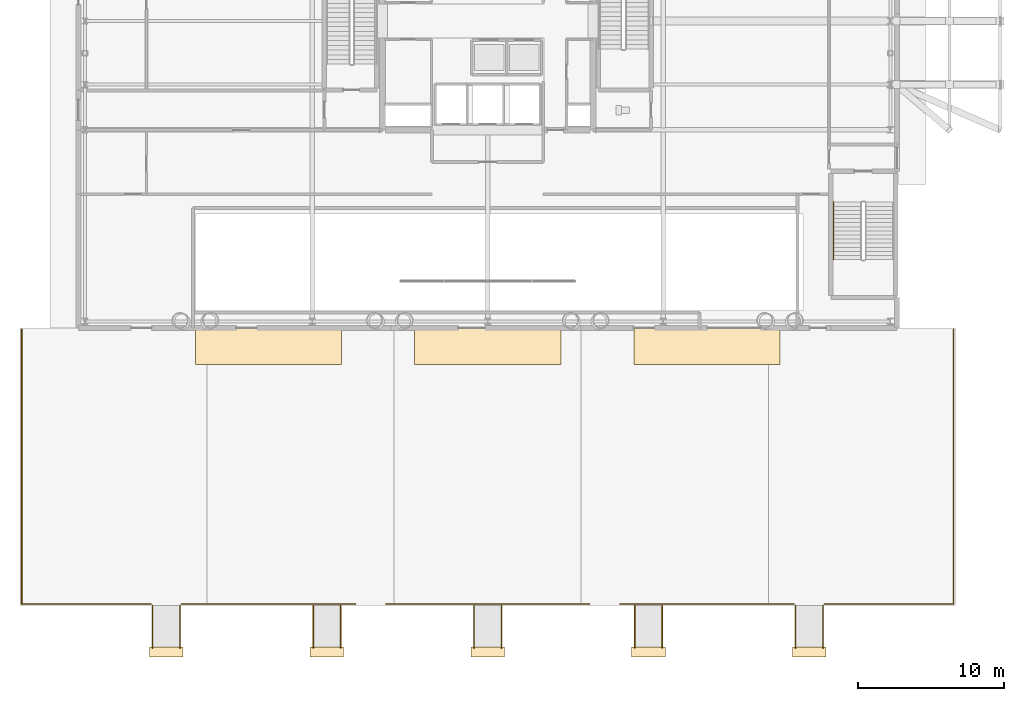
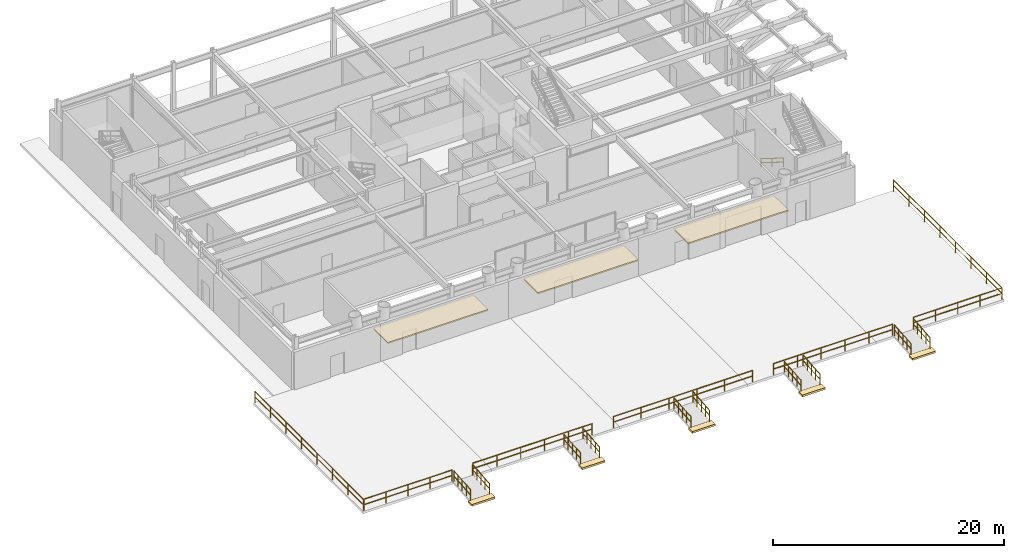
# One storey, part 15 of 19: 18 railings, 8 coverings.
"""IFC4 building model written with IfcOpenShell, lengths in metres."""

from ifc_helpers import new_model, si_unit, direction, frame, origin, origin_2d, place, context, subcontext, project, spatial, polyline, circle, outline, extrude, material, layer, layer_set, type_object, element, save


model = new_model("IFC4")

# Units and contexts
model_context = context("Model", 3, precision=1e-05, world=origin(), true_north=direction((0.0, 1.0)))
body_context = subcontext(model_context, "Body", "Model", "MODEL_VIEW")
ifc_project = project(units=[si_unit("LENGTHUNIT", "METRE"), si_unit("AREAUNIT", "SQUARE_METRE"), si_unit("VOLUMEUNIT", "CUBIC_METRE"), si_unit("PLANEANGLEUNIT", "RADIAN"), si_unit("MASSUNIT", "GRAM", prefix="KILO")], contexts=[model_context])

# Site, building, storey
site_placement = place(None, origin())
site = spatial("IfcSite", under=ifc_project, at=site_placement, CompositionType="ELEMENT")
building_placement = place(site_placement, origin())
building = spatial("IfcBuilding", under=site, at=building_placement, Name="Veldorina Hangang Commons", CompositionType="ELEMENT")
storey_placement = place(building_placement, origin())
storey = spatial("IfcBuildingStorey", under=building, at=storey_placement, Name="L00", CompositionType="ELEMENT", Elevation=0.0)

# Coverings
ifc_material_1 = material(Name="Stone Venetian Terrazzo", Category="masonry")
ifc_layer_1 = layer(ifc_material_1, 0.030029296875)
ifc_layer_set_1 = layer_set([ifc_layer_1], Name="Stone Venetian Terrazzo")
covering_type_1 = type_object("IfcCoveringType", Name="COV-FLR-TERZ", PredefinedType="FLOORING", material=ifc_layer_set_1)
covering_1_placement = place(storey_placement, frame((0.0, 0.0, -0.43994140625)))
element("IfcCovering", 1, at=covering_1_placement, inside=storey, type_object=covering_type_1, Name="Waterfront ramp 1 tactile granite landing threshold", PredefinedType="FLOORING", context=body_context, shape_type="SweptSolid", body=[
    extrude(outline(polyline([(8.85009765625, -19.5), (11.14990234375, -19.5), (11.14990234375, -18.840087890625), (8.85009765625, -18.840087890625), (8.85009765625, -19.5)])), origin(), (0.0, 0.0, 1.0), 0.199951171875),
])
covering_2_placement = place(storey_placement, frame((0.0, 0.0, -0.43994140625)))
element("IfcCovering", 2, at=covering_2_placement, inside=storey, type_object=covering_type_1, Name="Waterfront ramp 2 tactile granite landing threshold", PredefinedType="FLOORING", context=body_context, shape_type="SweptSolid", body=[
    extrude(outline(polyline([(19.85009765625, -19.5), (22.14990234375, -19.5), (22.14990234375, -18.840087890625), (19.85009765625, -18.840087890625), (19.85009765625, -19.5)])), origin(), (0.0, 0.0, 1.0), 0.199951171875),
])
covering_3_placement = place(storey_placement, frame((0.0, 0.0, -0.43994140625)))
element("IfcCovering", 3, at=covering_3_placement, inside=storey, type_object=covering_type_1, Name="Waterfront ramp 3 tactile granite landing threshold", PredefinedType="FLOORING", context=body_context, shape_type="SweptSolid", body=[
    extrude(outline(polyline([(30.85009765625, -19.5), (33.14990234375, -19.5), (33.14990234375, -18.840087890625), (30.85009765625, -18.840087890625), (30.85009765625, -19.5)])), origin(), (0.0, 0.0, 1.0), 0.199951171875),
])
covering_4_placement = place(storey_placement, frame((0.0, 0.0, -0.43994140625)))
element("IfcCovering", 4, at=covering_4_placement, inside=storey, type_object=covering_type_1, Name="Waterfront ramp 4 tactile granite landing threshold", PredefinedType="FLOORING", context=body_context, shape_type="SweptSolid", body=[
    extrude(outline(polyline([(41.85009765625, -19.5), (44.14990234375, -19.5), (44.14990234375, -18.840087890625), (41.85009765625, -18.840087890625), (41.85009765625, -19.5)])), origin(), (0.0, 0.0, 1.0), 0.199951171875),
])
covering_5_placement = place(storey_placement, frame((0.0, 0.0, -0.43994140625)))
element("IfcCovering", 5, at=covering_5_placement, inside=storey, type_object=covering_type_1, Name="Waterfront ramp 5 tactile granite landing threshold", PredefinedType="FLOORING", context=body_context, shape_type="SweptSolid", body=[
    extrude(outline(polyline([(52.85009765625, -19.5), (55.14990234375, -19.5), (55.14990234375, -18.840087890625), (52.85009765625, -18.840087890625), (52.85009765625, -19.5)])), origin(), (0.0, 0.0, 1.0), 0.199951171875),
])
ifc_material_2 = material(Name="Bronze Perforated Anodized", Category="metal")
ifc_layer_2 = layer(ifc_material_2, 0.139892578125)
ifc_layer_set_2 = layer_set([ifc_layer_2], Name="Bronze Perforated Anodized")
covering_type_2 = type_object("IfcCoveringType", Name="RF-CANOPY-BRZ", PredefinedType="USERDEFINED", material=ifc_layer_set_2)
covering_6_placement = place(storey_placement, frame((0.0, 0.0, 3.5)))
element("IfcCovering", 6, at=covering_6_placement, inside=storey, type_object=covering_type_2, Name="L00 waterfront colonnade canopy 1", ObjectType="CANOPY", PredefinedType="USERDEFINED", context=body_context, shape_type="SweptSolid", body=[
    extrude(outline(polyline([(12.0, 0.5), (22.0, 0.5), (22.0, 3.050048828125), (12.0, 3.050048828125), (12.0, 0.5)])), origin(), (0.0, 0.0, 1.0), 0.139892578125),
])
covering_7_placement = place(storey_placement, frame((0.0, 0.0, 3.5)))
element("IfcCovering", 7, at=covering_7_placement, inside=storey, type_object=covering_type_2, Name="L00 waterfront colonnade canopy 2", ObjectType="CANOPY", PredefinedType="USERDEFINED", context=body_context, shape_type="SweptSolid", body=[
    extrude(outline(polyline([(27.0, 0.5), (37.0, 0.5), (37.0, 3.050048828125), (27.0, 3.050048828125), (27.0, 0.5)])), origin(), (0.0, 0.0, 1.0), 0.139892578125),
])
covering_8_placement = place(storey_placement, frame((0.0, 0.0, 3.5)))
element("IfcCovering", 8, at=covering_8_placement, inside=storey, type_object=covering_type_2, Name="L00 waterfront colonnade canopy 3", ObjectType="CANOPY", PredefinedType="USERDEFINED", context=body_context, shape_type="SweptSolid", body=[
    extrude(outline(polyline([(42.0, 0.5), (52.0, 0.5), (52.0, 3.050048828125), (42.0, 3.050048828125), (42.0, 0.5)])), origin(), (0.0, 0.0, 1.0), 0.139892578125),
])

# Railings
ifc_material_3 = material(Name="Steel Painted Balustrade", Category="steel")
railing_type_1 = type_object("IfcRailingType", Name="RL-GRD-STAIR", PredefinedType="GUARDRAIL", material=ifc_material_3)
for number, where, name in (
    (9, (9.06005859375, -18.8798828125, -0.239990234375), "Waterfront ramp 1 safety guard L"),
    (10, (10.93994140625, -18.8798828125, -0.239990234375), "Waterfront ramp 1 safety guard R"),
    (11, (20.06005859375, -18.8798828125, -0.239990234375), "Waterfront ramp 2 safety guard L"),
    (12, (21.93994140625, -18.8798828125, -0.239990234375), "Waterfront ramp 2 safety guard R"),
    (13, (31.06005859375, -18.8798828125, -0.239990234375), "Waterfront ramp 3 safety guard L"),
    (14, (32.93994140625, -18.8798828125, -0.239990234375), "Waterfront ramp 3 safety guard R"),
    (15, (42.06005859375, -18.8798828125, -0.239990234375), "Waterfront ramp 4 safety guard L"),
    (16, (43.93994140625, -18.8798828125, -0.239990234375), "Waterfront ramp 4 safety guard R"),
    (17, (53.06005859375, -18.8798828125, -0.239990234375), "Waterfront ramp 5 safety guard L"),
    (18, (54.93994140625, -18.8798828125, -0.239990234375), "Waterfront ramp 5 safety guard R"),
):
    element("IfcRailing", number, at=place(storey_placement, frame(where)), inside=storey, type_object=railing_type_1, Name=name, PredefinedType="GUARDRAIL", context=body_context, shape_type="SweptSolid", body=[
        extrude(circle(Radius=0.02392578125, at=origin_2d()), frame((0.0, 0.0, 1.1259765625), z_axis=(0.0, 0.996545758245, 0.083045479854), x_axis=(-1.0, 0.0, 0.0)), (0.0, 0.0, 1.0), 2.889892578125),
        extrude(circle(Radius=0.02392578125, at=origin_2d()), frame((0.0, 0.0, 0.574951171875), z_axis=(0.0, 0.996545758245, 0.083045479854), x_axis=(-1.0, 0.0, 0.0)), (0.0, 0.0, 1.0), 2.889892578125),
        extrude(circle(Radius=0.02099609375, at=origin_2d()), origin(), (0.0, 0.0, 1.0), 1.101806640625),
        extrude(circle(Radius=0.02099609375, at=origin_2d()), frame((0.0, 0.719970703125, 0.06005859375)), (0.0, 0.0, 1.0), 1.101806640625),
        extrude(circle(Radius=0.02099609375, at=origin_2d()), frame((0.0, 1.43994140625, 0.1201171875)), (0.0, 0.0, 1.0), 1.101806640625),
        extrude(circle(Radius=0.02099609375, at=origin_2d()), frame((0.0, 2.159912109375, 0.179931640625)), (0.0, 0.0, 1.0), 1.101806640625),
        extrude(circle(Radius=0.02099609375, at=origin_2d()), frame((0.0, 2.8798828125, 0.239990234375)), (0.0, 0.0, 1.0), 1.101806640625),
    ])
ifc_material_4 = material(Name="Stainless Steel Brushed 316", Category="steel")
railing_type_2 = type_object("IfcRailingType", Name="RL-GRD-WIND", PredefinedType="GUARDRAIL", material=ifc_material_4)
railing_1_placement = place(storey_placement, frame((0.14990234375, -15.8798828125, 0.0)))
element("IfcRailing", 19, at=railing_1_placement, inside=storey, type_object=railing_type_2, Name="L00 Hangang promenade riverfront guard 1", PredefinedType="GUARDRAIL", context=body_context, shape_type="SweptSolid", body=[
    extrude(circle(Radius=0.02392578125, at=origin_2d()), frame((0.0, 0.0, 1.17578125), z_axis=(1.0, 0.0, 0.0), x_axis=(0.0, 1.0, 0.0)), (0.0, 0.0, 1.0), 8.800048828125),
    extrude(circle(Radius=0.02392578125, at=origin_2d()), frame((0.0, 0.0, 0.60009765625), z_axis=(1.0, 0.0, 0.0), x_axis=(0.0, 1.0, 0.0)), (0.0, 0.0, 1.0), 8.800048828125),
    extrude(circle(Radius=0.02099609375, at=origin_2d()), origin(), (0.0, 0.0, 1.0), 1.15185546875),
    extrude(circle(Radius=0.02099609375, at=origin_2d()), frame((2.199951171875, 0.0, 0.0)), (0.0, 0.0, 1.0), 1.15185546875),
    extrude(circle(Radius=0.02099609375, at=origin_2d()), frame((4.39990234375, 0.0, 0.0)), (0.0, 0.0, 1.0), 1.15185546875),
    extrude(circle(Radius=0.02099609375, at=origin_2d()), frame((6.60009765625, 0.0, 0.0)), (0.0, 0.0, 1.0), 1.15185546875),
    extrude(circle(Radius=0.02099609375, at=origin_2d()), frame((8.800048828125, 0.0, 0.0)), (0.0, 0.0, 1.0), 1.15185546875),
])
railing_2_placement = place(storey_placement, frame((11.050048828125, -15.8798828125, 0.0)))
element("IfcRailing", 20, at=railing_2_placement, inside=storey, type_object=railing_type_2, Name="L00 Hangang promenade riverfront guard 2", PredefinedType="GUARDRAIL", context=body_context, shape_type="SweptSolid", body=[
    extrude(circle(Radius=0.02392578125, at=origin_2d()), frame((0.0, 0.0, 1.17578125), z_axis=(1.0, 0.0, 0.0), x_axis=(0.0, 1.0, 0.0)), (0.0, 0.0, 1.0), 11.89990234375),
    extrude(circle(Radius=0.02392578125, at=origin_2d()), frame((0.0, 0.0, 0.60009765625), z_axis=(1.0, 0.0, 0.0), x_axis=(0.0, 1.0, 0.0)), (0.0, 0.0, 1.0), 11.89990234375),
    extrude(circle(Radius=0.02099609375, at=origin_2d()), origin(), (0.0, 0.0, 1.0), 1.15185546875),
    extrude(circle(Radius=0.02099609375, at=origin_2d()), frame((2.3798828125, 0.0, 0.0)), (0.0, 0.0, 1.0), 1.15185546875),
    extrude(circle(Radius=0.02099609375, at=origin_2d()), frame((4.760009765625, 0.0, 0.0)), (0.0, 0.0, 1.0), 1.15185546875),
    extrude(circle(Radius=0.02099609375, at=origin_2d()), frame((7.139892578125, 0.0, 0.0)), (0.0, 0.0, 1.0), 1.15185546875),
    extrude(circle(Radius=0.02099609375, at=origin_2d()), frame((9.52001953125, 0.0, 0.0)), (0.0, 0.0, 1.0), 1.15185546875),
    extrude(circle(Radius=0.02099609375, at=origin_2d()), frame((11.89990234375, 0.0, 0.0)), (0.0, 0.0, 1.0), 1.15185546875),
])
railing_3_placement = place(storey_placement, frame((25.050048828125, -15.8798828125, 0.0)))
element("IfcRailing", 21, at=railing_3_placement, inside=storey, type_object=railing_type_2, Name="L00 Hangang promenade riverfront guard 3", PredefinedType="GUARDRAIL", context=body_context, shape_type="SweptSolid", body=[
    extrude(circle(Radius=0.02392578125, at=origin_2d()), frame((0.0, 0.0, 1.17578125), z_axis=(1.0, 0.0, 0.0), x_axis=(0.0, 1.0, 0.0)), (0.0, 0.0, 1.0), 13.89990234375),
    extrude(circle(Radius=0.02392578125, at=origin_2d()), frame((0.0, 0.0, 0.60009765625), z_axis=(1.0, 0.0, 0.0), x_axis=(0.0, 1.0, 0.0)), (0.0, 0.0, 1.0), 13.89990234375),
    extrude(circle(Radius=0.02099609375, at=origin_2d()), origin(), (0.0, 0.0, 1.0), 1.15185546875),
    extrude(circle(Radius=0.02099609375, at=origin_2d()), frame((2.780029296875, 0.0, 0.0)), (0.0, 0.0, 1.0), 1.15185546875),
    extrude(circle(Radius=0.02099609375, at=origin_2d()), frame((5.56005859375, 0.0, 0.0)), (0.0, 0.0, 1.0), 1.15185546875),
    extrude(circle(Radius=0.02099609375, at=origin_2d()), frame((8.33984375, 0.0, 0.0)), (0.0, 0.0, 1.0), 1.15185546875),
    extrude(circle(Radius=0.02099609375, at=origin_2d()), frame((11.119873046875, 0.0, 0.0)), (0.0, 0.0, 1.0), 1.15185546875),
    extrude(circle(Radius=0.02099609375, at=origin_2d()), frame((13.89990234375, 0.0, 0.0)), (0.0, 0.0, 1.0), 1.15185546875),
])
railing_4_placement = place(storey_placement, frame((41.050048828125, -15.8798828125, 0.0)))
element("IfcRailing", 22, at=railing_4_placement, inside=storey, type_object=railing_type_2, Name="L00 Hangang promenade riverfront guard 4", PredefinedType="GUARDRAIL", context=body_context, shape_type="SweptSolid", body=[
    extrude(circle(Radius=0.02392578125, at=origin_2d()), frame((0.0, 0.0, 1.17578125), z_axis=(1.0, 0.0, 0.0), x_axis=(0.0, 1.0, 0.0)), (0.0, 0.0, 1.0), 11.89990234375),
    extrude(circle(Radius=0.02392578125, at=origin_2d()), frame((0.0, 0.0, 0.60009765625), z_axis=(1.0, 0.0, 0.0), x_axis=(0.0, 1.0, 0.0)), (0.0, 0.0, 1.0), 11.89990234375),
    extrude(circle(Radius=0.02099609375, at=origin_2d()), origin(), (0.0, 0.0, 1.0), 1.15185546875),
    extrude(circle(Radius=0.02099609375, at=origin_2d()), frame((2.3798828125, 0.0, 0.0)), (0.0, 0.0, 1.0), 1.15185546875),
    extrude(circle(Radius=0.02099609375, at=origin_2d()), frame((4.760009765625, 0.0, 0.0)), (0.0, 0.0, 1.0), 1.15185546875),
    extrude(circle(Radius=0.02099609375, at=origin_2d()), frame((7.139892578125, 0.0, 0.0)), (0.0, 0.0, 1.0), 1.15185546875),
    extrude(circle(Radius=0.02099609375, at=origin_2d()), frame((9.52001953125, 0.0, 0.0)), (0.0, 0.0, 1.0), 1.15185546875),
    extrude(circle(Radius=0.02099609375, at=origin_2d()), frame((11.89990234375, 0.0, 0.0)), (0.0, 0.0, 1.0), 1.15185546875),
])
railing_5_placement = place(storey_placement, frame((55.050048828125, -15.8798828125, 0.0)))
element("IfcRailing", 23, at=railing_5_placement, inside=storey, type_object=railing_type_2, Name="L00 Hangang promenade riverfront guard 5", PredefinedType="GUARDRAIL", context=body_context, shape_type="SweptSolid", body=[
    extrude(circle(Radius=0.02392578125, at=origin_2d()), frame((0.0, 0.0, 1.17578125), z_axis=(1.0, 0.0, 0.0), x_axis=(0.0, 1.0, 0.0)), (0.0, 0.0, 1.0), 8.800048828125),
    extrude(circle(Radius=0.02392578125, at=origin_2d()), frame((0.0, 0.0, 0.60009765625), z_axis=(1.0, 0.0, 0.0), x_axis=(0.0, 1.0, 0.0)), (0.0, 0.0, 1.0), 8.800048828125),
    extrude(circle(Radius=0.02099609375, at=origin_2d()), origin(), (0.0, 0.0, 1.0), 1.15185546875),
    extrude(circle(Radius=0.02099609375, at=origin_2d()), frame((2.199951171875, 0.0, 0.0)), (0.0, 0.0, 1.0), 1.15185546875),
    extrude(circle(Radius=0.02099609375, at=origin_2d()), frame((4.39990234375, 0.0, 0.0)), (0.0, 0.0, 1.0), 1.15185546875),
    extrude(circle(Radius=0.02099609375, at=origin_2d()), frame((6.60009765625, 0.0, 0.0)), (0.0, 0.0, 1.0), 1.15185546875),
    extrude(circle(Radius=0.02099609375, at=origin_2d()), frame((8.800048828125, 0.0, 0.0)), (0.0, 0.0, 1.0), 1.15185546875),
])
for number, where, name in (
    (24, (0.1201171875, -15.8798828125, 0.0), "L00 promenade W edge guard"),
    (25, (63.8798828125, -15.8798828125, 0.0), "L00 promenade E edge guard"),
):
    element("IfcRailing", number, at=place(storey_placement, frame(where)), inside=storey, type_object=railing_type_2, Name=name, PredefinedType="GUARDRAIL", context=body_context, shape_type="SweptSolid", body=[
        extrude(circle(Radius=0.02392578125, at=origin_2d()), frame((0.0, 0.0, 1.17578125), z_axis=(0.0, 1.0, 0.0), x_axis=(-1.0, 0.0, 0.0)), (0.0, 0.0, 1.0), 18.77978515625),
        extrude(circle(Radius=0.02392578125, at=origin_2d()), frame((0.0, 0.0, 0.60009765625), z_axis=(0.0, 1.0, 0.0), x_axis=(-1.0, 0.0, 0.0)), (0.0, 0.0, 1.0), 18.77978515625),
        extrude(circle(Radius=0.02099609375, at=origin_2d()), origin(), (0.0, 0.0, 1.0), 1.15185546875),
        extrude(circle(Radius=0.02099609375, at=origin_2d()), frame((0.0, 2.682861328125, 0.0)), (0.0, 0.0, 1.0), 1.15185546875),
        extrude(circle(Radius=0.02099609375, at=origin_2d()), frame((0.0, 5.36572265625, 0.0)), (0.0, 0.0, 1.0), 1.15185546875),
        extrude(circle(Radius=0.02099609375, at=origin_2d()), frame((0.0, 8.048583984375, 0.0)), (0.0, 0.0, 1.0), 1.15185546875),
        extrude(circle(Radius=0.02099609375, at=origin_2d()), frame((0.0, 10.731201171875, 0.0)), (0.0, 0.0, 1.0), 1.15185546875),
        extrude(circle(Radius=0.02099609375, at=origin_2d()), frame((0.0, 13.4140625, 0.0)), (0.0, 0.0, 1.0), 1.15185546875),
        extrude(circle(Radius=0.02099609375, at=origin_2d()), frame((0.0, 16.096923828125, 0.0)), (0.0, 0.0, 1.0), 1.15185546875),
        extrude(circle(Radius=0.02099609375, at=origin_2d()), frame((0.0, 18.77978515625, 0.0)), (0.0, 0.0, 1.0), 1.15185546875),
    ])
railing_type_3 = type_object("IfcRailingType", Name="RL-HND-STAIR", PredefinedType="HANDRAIL", material=ifc_material_4)
railing_6_placement = place(storey_placement, frame((55.64990234375, 11.60009765625, 0.17333984375)))
element("IfcRailing", 26, at=railing_6_placement, inside=storey, type_object=railing_type_3, Name="L00 ST-P2 stair handrail 1", PredefinedType="HANDRAIL", context=body_context, shape_type="SweptSolid", body=[
    extrude(circle(Radius=0.02392578125, at=origin_2d()), frame((0.0, 0.0, 0.8759765625), z_axis=(0.0, -0.850266275192, 0.526352791643), x_axis=(1.0, 0.0, 0.0)), (0.0, 0.0, 1.0), 4.610595703125),
    extrude(circle(Radius=0.02392578125, at=origin_2d()), frame((0.0, 0.0, 0.449951171875), z_axis=(0.0, -0.850266275192, 0.526352791643), x_axis=(1.0, 0.0, 0.0)), (0.0, 0.0, 1.0), 4.610595703125),
    extrude(circle(Radius=0.02099609375, at=origin_2d()), origin(), (0.0, 0.0, 1.0), 0.851806640625),
    extrude(circle(Radius=0.02099609375, at=origin_2d()), frame((0.0, -1.9599609375, 1.21337890625)), (0.0, 0.0, 1.0), 0.851806640625),
    extrude(circle(Radius=0.02099609375, at=origin_2d()), frame((0.0, -3.920166015625, 2.4267578125)), (0.0, 0.0, 1.0), 0.851806640625),
])

save(model, "model.ifc")
